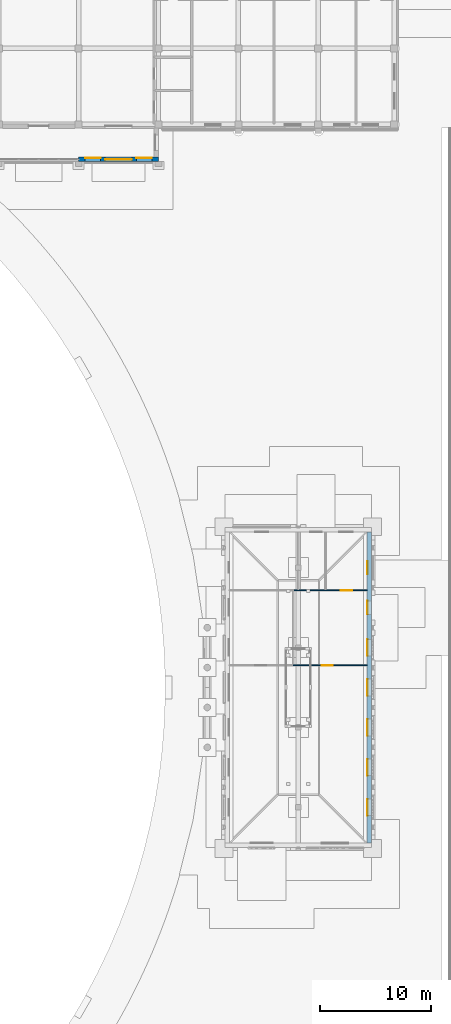
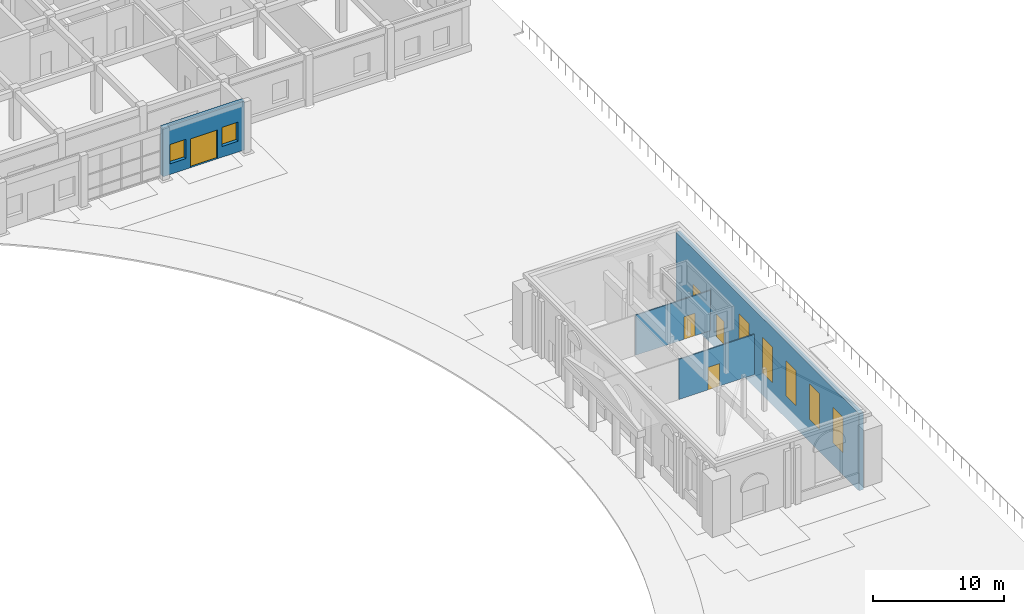
# One storey, part 97 of 131: 8 windows, 4 doors, 4 walls, 12 openings.
"""IFC4 building model written with IfcOpenShell, lengths in metres."""

from ifc_helpers import new_model, si_unit, direction, frame, frame_2d, origin, place, context, subcontext, project, spatial, rectangle, extrude, material, layer, layer_set, type_object, element, fill, save


model = new_model("IFC4")

# Units and contexts
model_context = context("Model", 3, precision=1e-05, world=origin(), true_north=direction((0.0, 1.0)))
body_context = subcontext(model_context, "Body", "Model", "MODEL_VIEW")
ifc_project = project(units=[si_unit("LENGTHUNIT", "METRE"), si_unit("AREAUNIT", "SQUARE_METRE"), si_unit("VOLUMEUNIT", "CUBIC_METRE"), si_unit("PLANEANGLEUNIT", "RADIAN"), si_unit("MASSUNIT", "GRAM", prefix="KILO")], contexts=[model_context])

# Site, building, storey
site_placement = place(None, origin())
site = spatial("IfcSite", under=ifc_project, at=site_placement, CompositionType="ELEMENT")
building_placement = place(site_placement, origin())
building = spatial("IfcBuilding", under=site, at=building_placement, Name="Alderwick Market Hall", CompositionType="ELEMENT")
storey_placement = place(building_placement, frame((0.0, 0.0, 4.800048828125)))
storey = spatial("IfcBuildingStorey", under=building, at=storey_placement, Name="L00", CompositionType="ELEMENT", Elevation=4.800048828125)

# Wall, openings, windows, door
ifc_material_1 = material(Name="Glazed terra-cotta ASTM C126 Grade S")
ifc_layer_1 = layer(ifc_material_1, 0.39990234375)
ifc_layer_set_1 = layer_set([ifc_layer_1], Name="Glazed terra-cotta ASTM C126 Grade S")
wall_type_1 = type_object("IfcWallType", Name="F Terra-cotta Faced Wall 400", PredefinedType="SOLIDWALL", material=ifc_layer_set_1)
wall_1_placement = place(storey_placement, frame((208.800048828125, 126.800048828125, 0.0), z_axis=(0.0, 0.0, 1.0), x_axis=(-1.0, 0.0, 0.0)))
wall_1 = element("IfcWall", 1, at=wall_1_placement, inside=storey, type_object=wall_type_1, Name="F.wall.L00.pav1.front.02", PredefinedType="SOLIDWALL", context=body_context, shape_type="SweptSolid", body=[
    extrude(rectangle(XDim=7.199951171875, YDim=0.39990234375, at=frame_2d((3.60009765625, 0.0))), origin(), (0.0, 0.0, 1.0), 4.550048828125),
])
opening_1_placement = place(wall_1_placement, frame((2.39990234375, 0.0, 0.0)))
opening_1 = element("IfcOpeningElement", 2, at=opening_1_placement, cuts=wall_1, Name="Opening F-D015", PredefinedType="OPENING", context=body_context, shape_type="SweptSolid", body=[
    extrude(rectangle(XDim=2.39990234375, YDim=2.699951171875, at=frame_2d((1.199951171875, 1.35009765625))), frame((0.0, 0.2099609375, 0.0), z_axis=(0.0, -1.0, 0.0), x_axis=(1.0, 0.0, 0.0)), (0.0, 0.0, 1.0), 0.419921875),
])
opening_2_placement = place(wall_1_placement, frame((0.595947265625, 0.0, 1.0)))
opening_2 = element("IfcOpeningElement", 3, at=opening_2_placement, cuts=wall_1, Name="Opening F-W062", PredefinedType="OPENING", context=body_context, shape_type="SweptSolid", body=[
    extrude(rectangle(XDim=1.39990234375, YDim=1.800048828125, at=frame_2d((0.699951171875, 0.89990234375))), frame((0.0, 0.2099609375, 0.0), z_axis=(0.0, -1.0, 0.0), x_axis=(1.0, 0.0, 0.0)), (0.0, 0.0, 1.0), 0.419921875),
])
opening_3_placement = place(wall_1_placement, frame((5.2041015625, 0.0, 1.0)))
opening_3 = element("IfcOpeningElement", 4, at=opening_3_placement, cuts=wall_1, Name="Opening F-W063", PredefinedType="OPENING", context=body_context, shape_type="SweptSolid", body=[
    extrude(rectangle(XDim=1.39990234375, YDim=1.800048828125, at=frame_2d((0.699951171875, 0.89990234375))), frame((0.0, 0.2099609375, 0.0), z_axis=(0.0, -1.0, 0.0), x_axis=(1.0, 0.0, 0.0)), (0.0, 0.0, 1.0), 0.419921875),
])
ifc_material_2 = material(Name="Aluminium frame, double glazing", Category="aluminium")
window_type_1 = type_object("IfcWindowType", Name="F Base Window 1400x1800", PartitioningType="SINGLE_PANEL", PredefinedType="WINDOW", material=ifc_material_2)
window_1_placement = place(opening_2_placement, origin())
window_1 = element("IfcWindow", 5, at=window_1_placement, inside=storey, type_object=window_type_1, Name="F.win.L00.062", OverallHeight=1.800048828125, OverallWidth=1.39990234375, PartitioningType="SINGLE_PANEL", PredefinedType="WINDOW", context=body_context, shape_type="SweptSolid", body=[
    extrude(rectangle(XDim=1.39990234375, YDim=1.800048828125, at=frame_2d((0.699951171875, 0.89990234375))), frame((0.0, -0.090087890625, 0.0), z_axis=(0.0, -1.0, 0.0), x_axis=(1.0, 0.0, 0.0)), (0.0, 0.0, 1.0), 0.06005859375),
])
fill(opening_2, window_1)
window_2_placement = place(opening_3_placement, origin())
window_2 = element("IfcWindow", 6, at=window_2_placement, inside=storey, type_object=window_type_1, Name="F.win.L00.063", OverallHeight=1.800048828125, OverallWidth=1.39990234375, PartitioningType="SINGLE_PANEL", PredefinedType="WINDOW", context=body_context, shape_type="SweptSolid", body=[
    extrude(rectangle(XDim=1.39990234375, YDim=1.800048828125, at=frame_2d((0.699951171875, 0.89990234375))), frame((0.0, -0.090087890625, 0.0), z_axis=(0.0, -1.0, 0.0), x_axis=(1.0, 0.0, 0.0)), (0.0, 0.0, 1.0), 0.06005859375),
])
fill(opening_3, window_2)
ifc_material_3 = material(Name="Aluminium, glazed", Category="aluminium")
door_type_1 = type_object("IfcDoorType", Name="F Entrance Door Pair 2400x2700", OperationType="NOTDEFINED", PredefinedType="DOOR", material=ifc_material_3)
door_1_placement = place(opening_1_placement, origin())
door_1 = element("IfcDoor", 7, at=door_1_placement, inside=storey, type_object=door_type_1, Name="F.door.L00.015", OperationType="NOTDEFINED", OverallHeight=2.699951171875, OverallWidth=2.39990234375, PredefinedType="DOOR", context=body_context, shape_type="SweptSolid", body=[
    extrude(rectangle(XDim=2.39990234375, YDim=2.699951171875, at=frame_2d((1.199951171875, 1.35009765625))), frame((0.0, 0.02490234375, 0.0), z_axis=(0.0, -1.0, 0.0), x_axis=(1.0, 0.0, 0.0)), (0.0, 0.0, 1.0), 0.050048828125),
])
fill(opening_1, door_1)

# Wall, openings, door, windows
ifc_material_4 = material(Name="Concrete 5000 psi (f'c 35 MPa)", Category="concrete")
ifc_layer_2 = layer(ifc_material_4, 0.39990234375)
ifc_layer_set_2 = layer_set([ifc_layer_2], Name="Concrete 5000 psi (f'c 35 MPa)")
wall_type_2 = type_object("IfcWallType", Name="G Exterior wall 400", PredefinedType="SOLIDWALL", material=ifc_layer_set_2)
wall_2_placement = place(storey_placement, frame((227.800048828125, 65.199951171875, -1.199951171875), z_axis=(0.0, 0.0, 1.0), x_axis=(0.0, 1.0, 0.0)))
wall_2 = element("IfcWall", 8, at=wall_2_placement, inside=storey, type_object=wall_type_2, Name="Exterior wall E", PredefinedType="SOLIDWALL", context=body_context, shape_type="SweptSolid", body=[
    extrude(rectangle(XDim=28.0, YDim=0.39990234375, at=frame_2d((14.0, 0.0))), origin(), (0.0, 0.0, 1.0), 7.199951171875),
])
opening_4_placement = place(wall_2_placement, frame((20.60009765625, 0.0, 1.199951171875)))
opening_4 = element("IfcOpeningElement", 9, at=opening_4_placement, cuts=wall_2, Name="Opening G-D004", PredefinedType="OPENING", context=body_context, shape_type="SweptSolid", body=[
    extrude(rectangle(XDim=1.199951171875, YDim=2.10009765625, at=frame_2d((0.60009765625, 1.050048828125))), frame((0.0, 0.2099609375, 0.0), z_axis=(0.0, -1.0, 0.0), x_axis=(1.0, 0.0, 0.0)), (0.0, 0.0, 1.0), 0.419921875),
])
opening_5_placement = place(wall_2_placement, frame((2.449951171875, 0.0, 2.10009765625)))
opening_5 = element("IfcOpeningElement", 10, at=opening_5_placement, cuts=wall_2, Name="Opening G-W006", PredefinedType="OPENING", context=body_context, shape_type="SweptSolid", body=[
    extrude(rectangle(XDim=1.5, YDim=3.300048828125, at=frame_2d((0.75, 1.64990234375))), frame((0.0, 0.2099609375, 0.0), z_axis=(0.0, -1.0, 0.0), x_axis=(1.0, 0.0, 0.0)), (0.0, 0.0, 1.0), 0.419921875),
])
opening_6_placement = place(wall_2_placement, frame((6.050048828125, 0.0, 2.10009765625)))
opening_6 = element("IfcOpeningElement", 11, at=opening_6_placement, cuts=wall_2, Name="Opening G-W007", PredefinedType="OPENING", context=body_context, shape_type="SweptSolid", body=[
    extrude(rectangle(XDim=1.5, YDim=3.300048828125, at=frame_2d((0.75, 1.64990234375))), frame((0.0, 0.2099609375, 0.0), z_axis=(0.0, -1.0, 0.0), x_axis=(1.0, 0.0, 0.0)), (0.0, 0.0, 1.0), 0.419921875),
])
opening_7_placement = place(wall_2_placement, frame((9.64990234375, 0.0, 2.10009765625)))
opening_7 = element("IfcOpeningElement", 12, at=opening_7_placement, cuts=wall_2, Name="Opening G-W008", PredefinedType="OPENING", context=body_context, shape_type="SweptSolid", body=[
    extrude(rectangle(XDim=1.5, YDim=3.300048828125, at=frame_2d((0.75, 1.64990234375))), frame((0.0, 0.2099609375, 0.0), z_axis=(0.0, -1.0, 0.0), x_axis=(1.0, 0.0, 0.0)), (0.0, 0.0, 1.0), 0.419921875),
])
opening_8_placement = place(wall_2_placement, frame((13.25, 0.0, 2.10009765625)))
opening_8 = element("IfcOpeningElement", 13, at=opening_8_placement, cuts=wall_2, Name="Opening G-W009", PredefinedType="OPENING", context=body_context, shape_type="SweptSolid", body=[
    extrude(rectangle(XDim=1.5, YDim=3.300048828125, at=frame_2d((0.75, 1.64990234375))), frame((0.0, 0.2099609375, 0.0), z_axis=(0.0, -1.0, 0.0), x_axis=(1.0, 0.0, 0.0)), (0.0, 0.0, 1.0), 0.419921875),
])
opening_9_placement = place(wall_2_placement, frame((16.85009765625, 0.0, 2.10009765625)))
opening_9 = element("IfcOpeningElement", 14, at=opening_9_placement, cuts=wall_2, Name="Opening G-W010", PredefinedType="OPENING", context=body_context, shape_type="SweptSolid", body=[
    extrude(rectangle(XDim=1.5, YDim=3.300048828125, at=frame_2d((0.75, 1.64990234375))), frame((0.0, 0.2099609375, 0.0), z_axis=(0.0, -1.0, 0.0), x_axis=(1.0, 0.0, 0.0)), (0.0, 0.0, 1.0), 0.419921875),
])
opening_10_placement = place(wall_2_placement, frame((24.199951171875, 0.0, 2.699951171875)))
opening_10 = element("IfcOpeningElement", 15, at=opening_10_placement, cuts=wall_2, Name="Opening G-W011", PredefinedType="OPENING", context=body_context, shape_type="SweptSolid", body=[
    extrude(rectangle(XDim=1.199951171875, YDim=1.199951171875, at=frame_2d((0.60009765625, 0.60009765625))), frame((0.0, 0.2099609375, 0.0), z_axis=(0.0, -1.0, 0.0), x_axis=(1.0, 0.0, 0.0)), (0.0, 0.0, 1.0), 0.419921875),
])
ifc_material_5 = material(Name="Steel, fire-rated", Category="steel")
door_type_2 = type_object("IfcDoorType", Name="G Service door FD60 1200x2100", OperationType="SINGLE_SWING_LEFT", PredefinedType="DOOR", material=ifc_material_5)
door_2_placement = place(opening_4_placement, origin())
door_2 = element("IfcDoor", 16, at=door_2_placement, inside=storey, type_object=door_type_2, Name="Door G-D004", OperationType="SINGLE_SWING_LEFT", OverallHeight=2.10009765625, OverallWidth=1.199951171875, PredefinedType="DOOR", context=body_context, shape_type="SweptSolid", body=[
    extrude(rectangle(XDim=1.199951171875, YDim=2.10009765625, at=frame_2d((0.60009765625, 1.050048828125))), frame((0.0, 0.2001953125, 0.0), z_axis=(0.0, -1.0, 0.0), x_axis=(1.0, 0.0, 0.0)), (0.0, 0.0, 1.0), 0.050048828125),
])
fill(opening_4, door_2)
ifc_material_6 = material(Name="Aluminium frame with insulated glass", Category="aluminium")
window_type_2 = type_object("IfcWindowType", Name="G Window 1200x1200", PartitioningType="SINGLE_PANEL", PredefinedType="WINDOW", material=ifc_material_6)
window_3_placement = place(opening_10_placement, origin())
window_3 = element("IfcWindow", 17, at=window_3_placement, inside=storey, type_object=window_type_2, Name="Window G-W011", OverallHeight=1.199951171875, OverallWidth=1.199951171875, PartitioningType="SINGLE_PANEL", PredefinedType="WINDOW", context=body_context, shape_type="SweptSolid", body=[
    extrude(rectangle(XDim=1.199951171875, YDim=1.199951171875, at=frame_2d((0.60009765625, 0.60009765625))), frame((0.0, 0.199951171875, 0.0), z_axis=(0.0, -1.0, 0.0), x_axis=(1.0, 0.0, 0.0)), (0.0, 0.0, 1.0), 0.06005859375),
])
fill(opening_10, window_3)
window_type_3 = type_object("IfcWindowType", Name="G Window 1500x3300", PartitioningType="SINGLE_PANEL", PredefinedType="WINDOW", material=ifc_material_6)
window_4_placement = place(opening_5_placement, origin())
window_4 = element("IfcWindow", 18, at=window_4_placement, inside=storey, type_object=window_type_3, Name="Window G-W006", OverallHeight=3.300048828125, OverallWidth=1.5, PartitioningType="SINGLE_PANEL", PredefinedType="WINDOW", context=body_context, shape_type="SweptSolid", body=[
    extrude(rectangle(XDim=1.5, YDim=3.300048828125, at=frame_2d((0.75, 1.64990234375))), frame((0.0, 0.199951171875, 0.0), z_axis=(0.0, -1.0, 0.0), x_axis=(1.0, 0.0, 0.0)), (0.0, 0.0, 1.0), 0.06005859375),
])
fill(opening_5, window_4)
window_5_placement = place(opening_6_placement, origin())
window_5 = element("IfcWindow", 19, at=window_5_placement, inside=storey, type_object=window_type_3, Name="Window G-W007", OverallHeight=3.300048828125, OverallWidth=1.5, PartitioningType="SINGLE_PANEL", PredefinedType="WINDOW", context=body_context, shape_type="SweptSolid", body=[
    extrude(rectangle(XDim=1.5, YDim=3.300048828125, at=frame_2d((0.75, 1.64990234375))), frame((0.0, 0.199951171875, 0.0), z_axis=(0.0, -1.0, 0.0), x_axis=(1.0, 0.0, 0.0)), (0.0, 0.0, 1.0), 0.06005859375),
])
fill(opening_6, window_5)
window_6_placement = place(opening_7_placement, origin())
window_6 = element("IfcWindow", 20, at=window_6_placement, inside=storey, type_object=window_type_3, Name="Window G-W008", OverallHeight=3.300048828125, OverallWidth=1.5, PartitioningType="SINGLE_PANEL", PredefinedType="WINDOW", context=body_context, shape_type="SweptSolid", body=[
    extrude(rectangle(XDim=1.5, YDim=3.300048828125, at=frame_2d((0.75, 1.64990234375))), frame((0.0, 0.199951171875, 0.0), z_axis=(0.0, -1.0, 0.0), x_axis=(1.0, 0.0, 0.0)), (0.0, 0.0, 1.0), 0.06005859375),
])
fill(opening_7, window_6)
window_7_placement = place(opening_8_placement, origin())
window_7 = element("IfcWindow", 21, at=window_7_placement, inside=storey, type_object=window_type_3, Name="Window G-W009", OverallHeight=3.300048828125, OverallWidth=1.5, PartitioningType="SINGLE_PANEL", PredefinedType="WINDOW", context=body_context, shape_type="SweptSolid", body=[
    extrude(rectangle(XDim=1.5, YDim=3.300048828125, at=frame_2d((0.75, 1.64990234375))), frame((0.0, 0.199951171875, 0.0), z_axis=(0.0, -1.0, 0.0), x_axis=(1.0, 0.0, 0.0)), (0.0, 0.0, 1.0), 0.06005859375),
])
fill(opening_8, window_7)
window_8_placement = place(opening_9_placement, origin())
window_8 = element("IfcWindow", 22, at=window_8_placement, inside=storey, type_object=window_type_3, Name="Window G-W010", OverallHeight=3.300048828125, OverallWidth=1.5, PartitioningType="SINGLE_PANEL", PredefinedType="WINDOW", context=body_context, shape_type="SweptSolid", body=[
    extrude(rectangle(XDim=1.5, YDim=3.300048828125, at=frame_2d((0.75, 1.64990234375))), frame((0.0, 0.199951171875, 0.0), z_axis=(0.0, -1.0, 0.0), x_axis=(1.0, 0.0, 0.0)), (0.0, 0.0, 1.0), 0.06005859375),
])
fill(opening_9, window_8)

# Wall, opening, door
ifc_material_7 = material(Name="Gypsum board partition, fire-rated")
ifc_layer_3 = layer(ifc_material_7, 0.10009765625)
ifc_layer_set_3 = layer_set([ifc_layer_3], Name="Gypsum board partition, fire-rated")
wall_type_3 = type_object("IfcWallType", Name="G Fire-rated partition 100", PredefinedType="PARTITIONING", material=ifc_layer_set_3)
wall_3_placement = place(storey_placement, frame((220.89990234375, 81.199951171875, 0.0), z_axis=(0.0, 0.0, 1.0), x_axis=(1.0, 0.0, 0.0)))
wall_3 = element("IfcWall", 23, at=wall_3_placement, inside=storey, type_object=wall_type_3, Name="Partition", PredefinedType="PARTITIONING", context=body_context, shape_type="SweptSolid", body=[
    extrude(rectangle(XDim=6.7001953125, YDim=0.10009765625, at=frame_2d((3.35009765625, 0.0))), origin(), (0.0, 0.0, 1.0), 3.75),
])
opening_11_placement = place(wall_3_placement, frame((2.60009765625, 0.0, 0.0)))
opening_11 = element("IfcOpeningElement", 24, at=opening_11_placement, cuts=wall_3, Name="Opening G-D007", PredefinedType="OPENING", context=body_context, shape_type="SweptSolid", body=[
    extrude(rectangle(XDim=1.0, YDim=2.10009765625, at=frame_2d((0.5, 1.050048828125))), frame((0.0, 0.06005859375, 0.0), z_axis=(0.0, -1.0, 0.0), x_axis=(1.0, 0.0, 0.0)), (0.0, 0.0, 1.0), 0.1201171875),
])
door_type_3 = type_object("IfcDoorType", Name="G Fire door FD60 1000x2100", OperationType="SINGLE_SWING_LEFT", PredefinedType="DOOR", material=ifc_material_5)
door_3_placement = place(opening_11_placement, origin())
door_3 = element("IfcDoor", 25, at=door_3_placement, inside=storey, type_object=door_type_3, Name="Door G-D007", OperationType="SINGLE_SWING_LEFT", OverallHeight=2.10009765625, OverallWidth=1.0, PredefinedType="DOOR", context=body_context, shape_type="SweptSolid", body=[
    extrude(rectangle(XDim=1.0, YDim=2.10009765625, at=frame_2d((0.5, 1.050048828125))), frame((0.0, 0.02490234375, 0.0), z_axis=(0.0, -1.0, 0.0), x_axis=(1.0, 0.0, 0.0)), (0.0, 0.0, 1.0), 0.050048828125),
])
fill(opening_11, door_3)

wall_4_placement = place(storey_placement, frame((221.0, 87.949951171875, 0.0), z_axis=(0.0, 0.0, 1.0), x_axis=(1.0, 0.0, 0.0)))
wall_4 = element("IfcWall", 26, at=wall_4_placement, inside=storey, type_object=wall_type_3, Name="Partition", PredefinedType="PARTITIONING", context=body_context, shape_type="SweptSolid", body=[
    extrude(rectangle(XDim=6.60009765625, YDim=0.10009765625, at=frame_2d((3.300048828125, 0.0))), origin(), (0.0, 0.0, 1.0), 3.75),
])
opening_12_placement = place(wall_4_placement, frame((4.25, 0.0, 0.0)))
opening_12 = element("IfcOpeningElement", 27, at=opening_12_placement, cuts=wall_4, Name="Opening G-D008", PredefinedType="OPENING", context=body_context, shape_type="SweptSolid", body=[
    extrude(rectangle(XDim=1.0, YDim=2.10009765625, at=frame_2d((0.5, 1.050048828125))), frame((0.0, 0.06005859375, 0.0), z_axis=(0.0, -1.0, 0.0), x_axis=(1.0, 0.0, 0.0)), (0.0, 0.0, 1.0), 0.1201171875),
])
door_4_placement = place(opening_12_placement, origin())
door_4 = element("IfcDoor", 28, at=door_4_placement, inside=storey, type_object=door_type_3, Name="Door G-D008", OperationType="SINGLE_SWING_LEFT", OverallHeight=2.10009765625, OverallWidth=1.0, PredefinedType="DOOR", context=body_context, shape_type="SweptSolid", body=[
    extrude(rectangle(XDim=1.0, YDim=2.10009765625, at=frame_2d((0.5, 1.050048828125))), frame((0.0, 0.02490234375, 0.0), z_axis=(0.0, -1.0, 0.0), x_axis=(1.0, 0.0, 0.0)), (0.0, 0.0, 1.0), 0.050048828125),
])
fill(opening_12, door_4)

save(model, "model.ifc")
